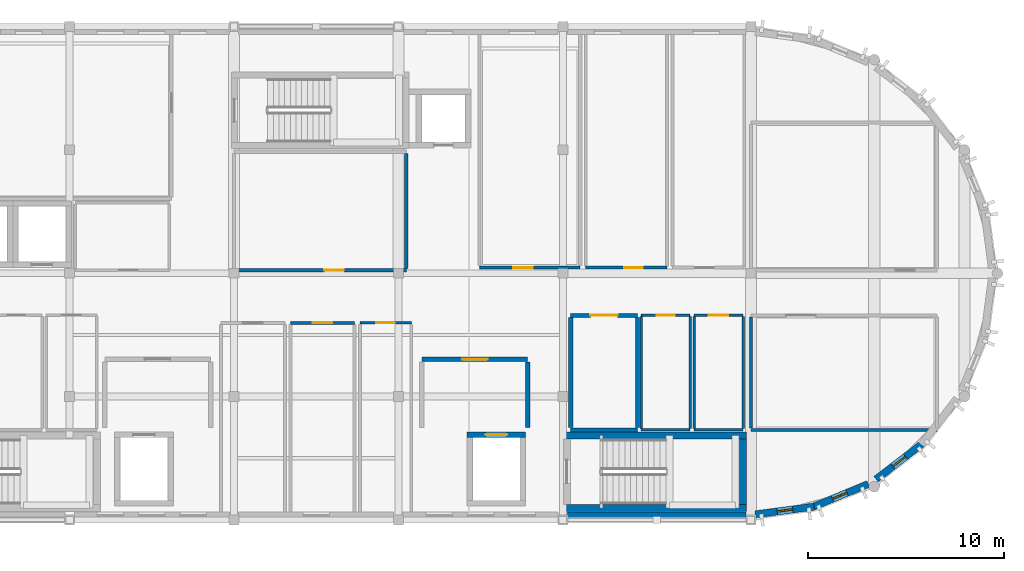
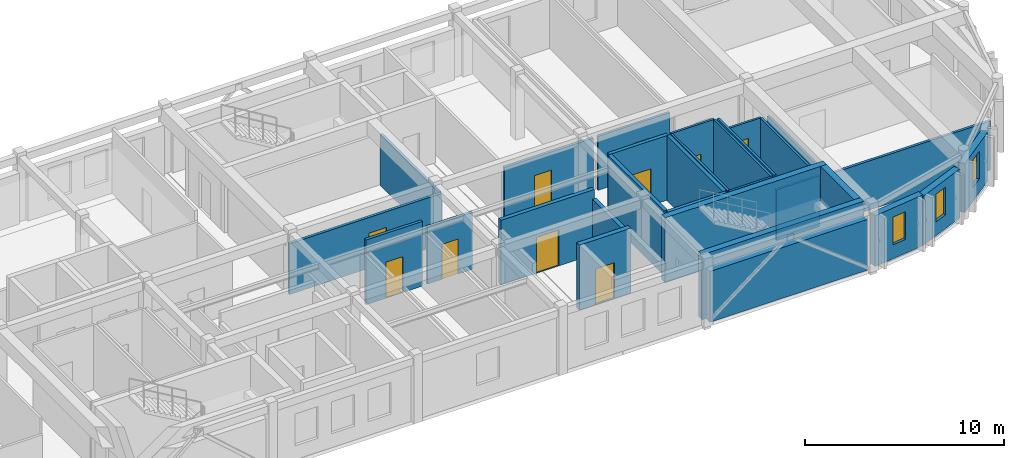
# One storey, part 5 of 11: 30 walls, 10 doors, 3 windows, 13 openings.
"""IFC4 building model written with IfcOpenShell, lengths in metres."""

from ifc_helpers import new_model, si_unit, direction, frame, frame_2d, origin, place, context, subcontext, project, spatial, rectangle, extrude, material, layer, layer_set, type_object, element, fill, save


model = new_model("IFC4")

# Units and contexts
model_context = context("Model", 3, precision=1e-05, world=origin(), true_north=direction((0.0, 1.0)))
body_context = subcontext(model_context, "Body", "Model", "MODEL_VIEW")
ifc_project = project(units=[si_unit("LENGTHUNIT", "METRE"), si_unit("AREAUNIT", "SQUARE_METRE"), si_unit("VOLUMEUNIT", "CUBIC_METRE"), si_unit("PLANEANGLEUNIT", "RADIAN"), si_unit("MASSUNIT", "GRAM", prefix="KILO")], contexts=[model_context])

# Site, building, storey
site_placement = place(None, origin())
site = spatial("IfcSite", under=ifc_project, at=site_placement, CompositionType="ELEMENT")
building_placement = place(site_placement, origin())
building = spatial("IfcBuilding", under=site, at=building_placement, Name="Tarnavel Promenade Courthouse", CompositionType="ELEMENT")
storey_placement = place(building_placement, frame((0.0, 0.0, 31.199951171875)))
storey = spatial("IfcBuildingStorey", under=building, at=storey_placement, Name="L08", CompositionType="ELEMENT", Elevation=31.199951171875)

# Wall, opening, door
ifc_material_1 = material(Name="Acoustic Insulated Gypsum Stud Partition", Category="gypsum")
ifc_layer_1 = layer(ifc_material_1, 0.1650390625)
ifc_layer_set_1 = layer_set([ifc_layer_1], Name="Acoustic Insulated Gypsum Stud Partition")
wall_type_1 = type_object("IfcWallType", Name="Acoustic Insulated Gypsum Stud Partition WL-CHM-165 (165 mm)", PredefinedType="PARTITIONING", material=ifc_layer_set_1)
wall_1_placement = place(storey_placement, frame((84.39990234375, 91.949951171875, 0.0), z_axis=(0.0, 0.0, 1.0), x_axis=(-1.0, 0.0, 0.0)))
wall_1 = element("IfcWall", 1, at=wall_1_placement, inside=storey, type_object=wall_type_1, Name="L08 L08 Judicial Panel Deliberation Salon Partition 0952", PredefinedType="PARTITIONING", context=body_context, shape_type="SweptSolid", body=[
    extrude(rectangle(XDim=8.7998046875, YDim=0.1650390625, at=frame_2d((4.39990234375, 0.0))), origin(), (0.0, 0.0, 1.0), 3.110107421875),
])
opening_1_placement = place(wall_1_placement, frame((3.18994140625, 0.0, 0.0)))
opening_1 = element("IfcOpeningElement", 2, at=opening_1_placement, cuts=wall_1, Name="Opening ID-03", PredefinedType="OPENING", context=body_context, shape_type="SweptSolid", body=[
    extrude(rectangle(XDim=1.0, YDim=2.14990234375, at=frame_2d((0.5, 1.074951171875))), frame((0.0, 0.092529296875, 0.0), z_axis=(0.0, -1.0, 0.0), x_axis=(1.0, 0.0, 0.0)), (0.0, 0.0, 1.0), 0.18505859375),
])
ifc_material_2 = material(Name="Acoustic Solid-Core Oak Jury Room Door")
door_type_1 = type_object("IfcDoorType", Name="Acoustic Solid-Core Oak Jury Room Door (DR-JRY-1000x2150)", OperationType="NOTDEFINED", PredefinedType="DOOR", material=ifc_material_2)
door_1_placement = place(opening_1_placement, origin())
door_1 = element("IfcDoor", 3, at=door_1_placement, inside=storey, type_object=door_type_1, Name="L08 L08 Judicial Panel Deliberation Salon Door 0271", OperationType="SINGLE_SWING_LEFT", OverallHeight=2.14990234375, OverallWidth=1.0, PredefinedType="DOOR", context=body_context, shape_type="SweptSolid", body=[
    extrude(rectangle(XDim=1.0, YDim=2.14990234375, at=frame_2d((0.5, 1.074951171875))), frame((0.0, 0.02490234375, 0.0), z_axis=(0.0, -1.0, 0.0), x_axis=(1.0, 0.0, 0.0)), (0.0, 0.0, 1.0), 0.050048828125),
])
fill(opening_1, door_1)

# Wall
wall_2_placement = place(storey_placement, frame((84.39990234375, 97.907470703125, 0.0), z_axis=(0.0, 0.0, 1.0), x_axis=(0.0, -1.0, 0.0)))
element("IfcWall", 4, at=wall_2_placement, inside=storey, type_object=wall_type_1, Name="L08 L08 Judicial Panel Deliberation Salon Partition 0954", PredefinedType="PARTITIONING", context=body_context, shape_type="SweptSolid", body=[
    extrude(rectangle(XDim=5.864990234375, YDim=0.1650390625, at=frame_2d((2.9326171875, 0.0))), origin(), (0.0, 0.0, 1.0), 3.110107421875),
])

# Wall, opening, door
wall_3_placement = place(storey_placement, frame((93.281005859375, 92.090087890625, 0.0), z_axis=(0.0, 0.0, 1.0), x_axis=(-1.0, 0.0, 0.0)))
wall_3 = element("IfcWall", 5, at=wall_3_placement, inside=storey, type_object=wall_type_1, Name="L08 Deputy Chief Justice's Chambers Partition 0955", PredefinedType="PARTITIONING", context=body_context, shape_type="SweptSolid", body=[
    extrude(rectangle(XDim=5.14111328125, YDim=0.1650390625, at=frame_2d((2.570556640625, 0.0))), origin(), (0.0, 0.0, 1.0), 3.31005859375),
])
opening_2_placement = place(wall_3_placement, frame((2.426513671875, 0.0, 0.0)))
opening_2 = element("IfcOpeningElement", 6, at=opening_2_placement, cuts=wall_3, Name="Opening ID-04", PredefinedType="OPENING", context=body_context, shape_type="SweptSolid", body=[
    extrude(rectangle(XDim=0.97998046875, YDim=2.199951171875, at=frame_2d((0.489990234375, 1.10009765625))), frame((0.0, 0.092529296875, 0.0), z_axis=(0.0, -1.0, 0.0), x_axis=(1.0, 0.0, 0.0)), (0.0, 0.0, 1.0), 0.18505859375),
])
ifc_material_3 = material(Name="Solid Oak Judges Chambers Door")
door_type_2 = type_object("IfcDoorType", Name="Solid Oak Judges Chambers Door (DR-CHM-0980x2200)", OperationType="NOTDEFINED", PredefinedType="DOOR", material=ifc_material_3)
door_2_placement = place(opening_2_placement, origin())
door_2 = element("IfcDoor", 7, at=door_2_placement, inside=storey, type_object=door_type_2, Name="L08 Deputy Chief Justice's Chambers Door 0272", OperationType="SINGLE_SWING_RIGHT", OverallHeight=2.199951171875, OverallWidth=0.97998046875, PredefinedType="DOOR", context=body_context, shape_type="SweptSolid", body=[
    extrude(rectangle(XDim=0.97998046875, YDim=2.199951171875, at=frame_2d((0.489990234375, 1.10009765625))), frame((0.0, 0.02490234375, 0.0), z_axis=(0.0, -1.0, 0.0), x_axis=(1.0, 0.0, 0.0)), (0.0, 0.0, 1.0), 0.050048828125),
])
fill(opening_2, door_2)

wall_4_placement = place(storey_placement, frame((78.488037109375, 89.260009765625, 0.0), z_axis=(0.0, 0.0, 1.0), x_axis=(1.0, 0.0, 0.0)))
wall_4 = element("IfcWall", 8, at=wall_4_placement, inside=storey, type_object=wall_type_1, Name="L08 Senior Magistracy Chambers East Partition 0967", PredefinedType="PARTITIONING", context=body_context, shape_type="SweptSolid", body=[
    extrude(rectangle(XDim=3.26806640625, YDim=0.1650390625, at=frame_2d((1.634033203125, 0.0))), origin(), (0.0, 0.0, 1.0), 3.965087890625),
])
opening_3_placement = place(wall_4_placement, frame((1.14404296875, 0.0, 0.0)))
opening_3 = element("IfcOpeningElement", 9, at=opening_3_placement, cuts=wall_4, Name="Opening ID-04", PredefinedType="OPENING", context=body_context, shape_type="SweptSolid", body=[
    extrude(rectangle(XDim=0.97998046875, YDim=2.199951171875, at=frame_2d((0.489990234375, 1.10009765625))), frame((0.0, 0.092529296875, 0.0), z_axis=(0.0, -1.0, 0.0), x_axis=(1.0, 0.0, 0.0)), (0.0, 0.0, 1.0), 0.18505859375),
])
door_3_placement = place(opening_3_placement, origin())
door_3 = element("IfcDoor", 10, at=door_3_placement, inside=storey, type_object=door_type_2, Name="L08 Senior Magistracy Chambers East Door 0276", OperationType="SINGLE_SWING_RIGHT", OverallHeight=2.199951171875, OverallWidth=0.97998046875, PredefinedType="DOOR", context=body_context, shape_type="SweptSolid", body=[
    extrude(rectangle(XDim=0.97998046875, YDim=2.199951171875, at=frame_2d((0.489990234375, 1.10009765625))), frame((0.0, 0.02490234375, 0.0), z_axis=(0.0, -1.0, 0.0), x_axis=(1.0, 0.0, 0.0)), (0.0, 0.0, 1.0), 0.050048828125),
])
fill(opening_3, door_3)

# Walls
ifc_layer_2 = layer(ifc_material_1, 0.14990234375)
ifc_layer_set_2 = layer_set([ifc_layer_2], Name="Acoustic Insulated Gypsum Stud Partition")
wall_type_2 = type_object("IfcWallType", Name="Acoustic Insulated Gypsum Stud Partition WL-LIB-150 (150 mm)", PredefinedType="PARTITIONING", material=ifc_layer_set_2)
wall_5_placement = place(storey_placement, frame((111.5, 83.800048828125, 0.0), z_axis=(0.0, 0.0, 1.0), x_axis=(-1.0, 0.0, 0.0)))
element("IfcWall", 11, at=wall_5_placement, inside=storey, type_object=wall_type_2, Name="L08 L08 East Drum Collegium Reference Room Partition 0986", PredefinedType="PARTITIONING", context=body_context, shape_type="SweptSolid", body=[
    extrude(rectangle(XDim=9.5, YDim=0.14990234375, at=frame_2d((4.75, 0.0))), origin(), (0.0, 0.0, 1.0), 3.010009765625),
])
wall_6_placement = place(storey_placement, frame((102.0, 83.885009765625, 0.0), z_axis=(0.0, 0.0, 1.0), x_axis=(0.0, 1.0, 0.0)))
element("IfcWall", 12, at=wall_6_placement, inside=storey, type_object=wall_type_2, Name="L08 L08 East Drum Collegium Reference Room Partition 0987", PredefinedType="PARTITIONING", context=body_context, shape_type="SweptSolid", body=[
    extrude(rectangle(XDim=5.679931640625, YDim=0.14990234375, at=frame_2d((2.83984375, 0.0))), origin(), (0.0, 0.0, 1.0), 3.110107421875),
])

# Wall, opening, door
ifc_material_4 = material(Name="Concrete C40/50", Category="concrete")
ifc_layer_3 = layer(ifc_material_4, 0.280029296875)
ifc_layer_set_3 = layer_set([ifc_layer_3], Name="Concrete C40/50")
wall_type_3 = type_object("IfcWallType", Name="Concrete C40/50 WL-SHR-280 (280 mm)", PredefinedType="SHEAR", material=ifc_layer_set_3)
wall_7_placement = place(storey_placement, frame((87.5, 83.56005859375, 0.0), z_axis=(0.0, 0.0, 1.0), x_axis=(1.0, 0.0, 0.0)))
wall_7 = element("IfcWall", 13, at=wall_7_placement, inside=storey, type_object=wall_type_3, Name="L08 L-FF2 Lift Shaft North Wall", PredefinedType="SHEAR", context=body_context, shape_type="SweptSolid", body=[
    extrude(rectangle(XDim=3.0, YDim=0.280029296875, at=frame_2d((1.5, 0.0))), origin(), (0.0, 0.0, 1.0), 3.97998046875),
])
opening_4_placement = place(wall_7_placement, frame((0.949951171875, 0.0, 0.0)))
opening_4 = element("IfcOpeningElement", 14, at=opening_4_placement, cuts=wall_7, Name="Opening LD-01", PredefinedType="OPENING", context=body_context, shape_type="SweptSolid", body=[
    extrude(rectangle(XDim=1.10009765625, YDim=2.199951171875, at=frame_2d((0.550048828125, 1.10009765625))), frame((0.0, 0.14990234375, 0.0), z_axis=(0.0, -1.0, 0.0), x_axis=(1.0, 0.0, 0.0)), (0.0, 0.0, 1.0), 0.300048828125),
])
ifc_material_5 = material(Name="Stainless Steel Firefighting Lift Landing Sliding Door", Category="steel")
door_type_3 = type_object("IfcDoorType", Name="Stainless Steel Firefighting Lift Landing Sliding Door (LD-FF-1100x2200)", OperationType="NOTDEFINED", PredefinedType="DOOR", material=ifc_material_5)
door_4_placement = place(opening_4_placement, origin())
door_4 = element("IfcDoor", 15, at=door_4_placement, inside=storey, type_object=door_type_3, Name="L08 L-FF2 Lift Sliding Landing Door", OperationType="DOUBLE_DOOR_SLIDING", OverallHeight=2.199951171875, OverallWidth=1.10009765625, PredefinedType="DOOR", context=body_context, shape_type="SweptSolid", body=[
    extrude(rectangle(XDim=1.10009765625, YDim=2.199951171875, at=frame_2d((0.550048828125, 1.10009765625))), frame((0.0, 0.02490234375, 0.0), z_axis=(0.0, -1.0, 0.0), x_axis=(1.0, 0.0, 0.0)), (0.0, 0.0, 1.0), 0.050048828125),
])
fill(opening_4, door_4)

# Walls
ifc_layer_4 = layer(ifc_material_4, 0.360107421875)
ifc_layer_set_4 = layer_set([ifc_layer_4], Name="Concrete C40/50")
wall_type_4 = type_object("IfcWallType", Name="Concrete C40/50 WL-SHR-360 (360 mm)", PredefinedType="SHEAR", material=ifc_layer_set_4)
for number, where, z_axis, x_axis, name in (
    (16, (92.419921875, 83.52001953125, 0.0), (0.0, 0.0, 1.0), (1.0, 0.0, 0.0), "L08 ST-02 Shear Core North Wall"),
    (17, (101.780029296875, 79.800048828125, 0.0), (0.0, 0.0, 1.0), (-1.0, 0.0, 0.0), "L08 ST-02 Shear Core South Wall"),
):
    element("IfcWall", number, at=place(storey_placement, frame(where, z_axis=z_axis, x_axis=x_axis)), inside=storey, type_object=wall_type_4, Name=name, PredefinedType="SHEAR", context=body_context, shape_type="SweptSolid", body=[
        extrude(rectangle(XDim=9.360107421875, YDim=0.360107421875, at=frame_2d((4.68017578125, 0.0))), origin(), (0.0, 0.0, 1.0), 3.97998046875),
    ])
wall_8_placement = place(storey_placement, frame((101.60009765625, 83.340087890625, 0.0), z_axis=(0.0, 0.0, 1.0), x_axis=(0.0, -1.0, 0.0)))
element("IfcWall", 18, at=wall_8_placement, inside=storey, type_object=wall_type_4, Name="L08 ST-02 Shear Core East Wall", PredefinedType="SHEAR", context=body_context, shape_type="SweptSolid", body=[
    extrude(rectangle(XDim=3.360107421875, YDim=0.360107421875, at=frame_2d((1.68017578125, 0.0))), origin(), (0.0, 0.0, 1.0), 3.97998046875),
])

# Wall, opening, door
ifc_material_6 = material(Name="Concrete Masonry Fire Compartment Wall", Category="masonry")
ifc_layer_5 = layer(ifc_material_6, 0.205078125)
ifc_layer_set_5 = layer_set([ifc_layer_5], Name="Concrete Masonry Fire Compartment Wall")
wall_type_5 = type_object("IfcWallType", Name="Concrete Masonry Fire Compartment Wall WL-CMP-205 (205 mm)", PredefinedType="STANDARD", material=ifc_layer_set_5)
wall_9_placement = place(storey_placement, frame((92.800048828125, 89.64990234375, 0.0), z_axis=(0.0, 0.0, 1.0), x_axis=(1.0, 0.0, 0.0)))
wall_9 = element("IfcWall", 19, at=wall_9_placement, inside=storey, type_object=wall_type_5, Name="L08 L08 Court Transcript Records Room Partition 0940", PredefinedType="STANDARD", context=body_context, shape_type="SweptSolid", body=[
    extrude(rectangle(XDim=3.39990234375, YDim=0.205078125, at=frame_2d((1.699951171875, 0.0))), origin(), (0.0, 0.0, 1.0), 3.965087890625),
])
opening_5_placement = place(wall_9_placement, frame((1.0, 0.0, 0.0)))
opening_5 = element("IfcOpeningElement", 20, at=opening_5_placement, cuts=wall_9, Name="Opening FD-04", PredefinedType="OPENING", context=body_context, shape_type="SweptSolid", body=[
    extrude(rectangle(XDim=1.39990234375, YDim=2.25, at=frame_2d((0.699951171875, 1.125))), frame((0.0, 0.112548828125, 0.0), z_axis=(0.0, -1.0, 0.0), x_axis=(1.0, 0.0, 0.0)), (0.0, 0.0, 1.0), 0.22509765625),
])
ifc_material_7 = material(Name="Heavy Steel Plant Room Fire Door", Category="steel")
door_type_4 = type_object("IfcDoorType", Name="Heavy Steel Plant Room Fire Door (DR-PLT-1400x2250)", OperationType="NOTDEFINED", PredefinedType="DOOR", material=ifc_material_7)
door_5_placement = place(opening_5_placement, origin())
door_5 = element("IfcDoor", 21, at=door_5_placement, inside=storey, type_object=door_type_4, Name="L08 L08 Court Transcript Records Room Door 0268", OperationType="SINGLE_SWING_RIGHT", OverallHeight=2.25, OverallWidth=1.39990234375, PredefinedType="DOOR", context=body_context, shape_type="SweptSolid", body=[
    extrude(rectangle(XDim=1.39990234375, YDim=2.25, at=frame_2d((0.699951171875, 1.125))), frame((0.0, 0.02490234375, 0.0), z_axis=(0.0, -1.0, 0.0), x_axis=(1.0, 0.0, 0.0)), (0.0, 0.0, 1.0), 0.050048828125),
])
fill(opening_5, door_5)

# Walls
wall_10_placement = place(storey_placement, frame((96.199951171875, 83.800048828125, 0.0), z_axis=(0.0, 0.0, 1.0), x_axis=(-1.0, 0.0, 0.0)))
element("IfcWall", 22, at=wall_10_placement, inside=storey, type_object=wall_type_5, Name="L08 L08 Court Transcript Records Room Partition 0941", PredefinedType="STANDARD", context=body_context, shape_type="SweptSolid", body=[
    extrude(rectangle(XDim=3.39990234375, YDim=0.205078125, at=frame_2d((1.699951171875, 0.0))), origin(), (0.0, 0.0, 1.0), 3.965087890625),
])
for number, where, z_axis, x_axis, name in (
    (23, (92.800048828125, 83.91259765625, 0.0), (0.0, 0.0, 1.0), (0.0, 1.0, 0.0), "L08 L08 Court Transcript Records Room Partition 0942"),
    (24, (96.199951171875, 89.53759765625, 0.0), (0.0, 0.0, 1.0), (0.0, -1.0, 0.0), "L08 L08 Court Transcript Records Room Partition 0943"),
):
    element("IfcWall", number, at=place(storey_placement, frame(where, z_axis=z_axis, x_axis=x_axis)), inside=storey, type_object=wall_type_5, Name=name, PredefinedType="STANDARD", context=body_context, shape_type="SweptSolid", body=[
        extrude(rectangle(XDim=5.625, YDim=0.205078125, at=frame_2d((2.8125, 0.0))), origin(), (0.0, 0.0, 1.0), 3.965087890625),
    ])

# Wall, opening, door
ifc_layer_6 = layer(ifc_material_6, 0.22998046875)
ifc_layer_set_6 = layer_set([ifc_layer_6], Name="Concrete Masonry Fire Compartment Wall")
wall_type_6 = type_object("IfcWallType", Name="Concrete Masonry Fire Compartment Wall WL-CMP-230 (230 mm)", PredefinedType="STANDARD", material=ifc_layer_set_6)
wall_11_placement = place(storey_placement, frame((85.199951171875, 87.39990234375, 0.0), z_axis=(0.0, 0.0, 1.0), x_axis=(1.0, 0.0, 0.0)))
wall_11 = element("IfcWall", 25, at=wall_11_placement, inside=storey, type_object=wall_type_6, Name="L08 Firefighting Lobby L-FF2 Partition 0917", PredefinedType="STANDARD", context=body_context, shape_type="SweptSolid", body=[
    extrude(rectangle(XDim=5.400146484375, YDim=0.22998046875, at=frame_2d((2.7001953125, 0.0))), origin(), (0.0, 0.0, 1.0), 3.965087890625),
])
opening_6_placement = place(wall_11_placement, frame((2.050048828125, 0.0, 0.0)))
opening_6 = element("IfcOpeningElement", 26, at=opening_6_placement, cuts=wall_11, Name="Opening FD-03", PredefinedType="OPENING", context=body_context, shape_type="SweptSolid", body=[
    extrude(rectangle(XDim=1.300048828125, YDim=2.199951171875, at=frame_2d((0.64990234375, 1.10009765625))), frame((0.0, 0.125, 0.0), z_axis=(0.0, -1.0, 0.0), x_axis=(1.0, 0.0, 0.0)), (0.0, 0.0, 1.0), 0.25),
])
ifc_material_8 = material(Name="Smoke-Sealed Firefighting Lobby Fire Door")
door_type_5 = type_object("IfcDoorType", Name="Smoke-Sealed Firefighting Lobby Fire Door (DR-FFL-1300x2200)", OperationType="NOTDEFINED", PredefinedType="DOOR", material=ifc_material_8)
door_6_placement = place(opening_6_placement, origin())
door_6 = element("IfcDoor", 27, at=door_6_placement, inside=storey, type_object=door_type_5, Name="L08 Firefighting Lobby L-FF2 Door 0262", OperationType="SINGLE_SWING_RIGHT", OverallHeight=2.199951171875, OverallWidth=1.300048828125, PredefinedType="DOOR", context=body_context, shape_type="SweptSolid", body=[
    extrude(rectangle(XDim=1.300048828125, YDim=2.199951171875, at=frame_2d((0.64990234375, 1.10009765625))), frame((0.0, 0.02490234375, 0.0), z_axis=(0.0, -1.0, 0.0), x_axis=(1.0, 0.0, 0.0)), (0.0, 0.0, 1.0), 0.050048828125),
])
fill(opening_6, door_6)

# Walls
wall_12_placement = place(storey_placement, frame((90.60009765625, 87.27490234375, 0.0), z_axis=(0.0, 0.0, 1.0), x_axis=(0.0, -1.0, 0.0)))
element("IfcWall", 28, at=wall_12_placement, inside=storey, type_object=wall_type_6, Name="L08 Firefighting Lobby L-FF2 Partition 0919", PredefinedType="STANDARD", context=body_context, shape_type="SweptSolid", body=[
    extrude(rectangle(XDim=3.349853515625, YDim=0.22998046875, at=frame_2d((1.6748046875, 0.0))), origin(), (0.0, 0.0, 1.0), 3.41015625),
])
ifc_material_9 = material(Name="Cream Brick Insulated Cavity Facade Assembly", Category="masonry")
ifc_layer_7 = layer(ifc_material_9, 0.3798828125)
ifc_layer_set_7 = layer_set([ifc_layer_7], Name="Cream Brick Insulated Cavity Facade Assembly")
wall_type_7 = type_object("IfcWallType", Name="Cream Brick Insulated Cavity Facade Assembly WL-EXT-380 (380 mm)", PredefinedType="STANDARD", material=ifc_layer_set_7)
wall_13_placement = place(storey_placement, frame((101.758056640625, 79.419921875, 0.0), z_axis=(0.0, 0.0, 1.0), x_axis=(-1.0, 0.0, 0.0)))
element("IfcWall", 29, at=wall_13_placement, inside=storey, type_object=wall_type_7, Name="L08 Bar South Limestone Facade 0213", PredefinedType="STANDARD", context=body_context, shape_type="SweptSolid", body=[
    extrude(rectangle(XDim=9.115966796875, YDim=0.3798828125, at=frame_2d((4.55810546875, 0.0))), origin(), (0.0, 0.0, 1.0), 3.110107421875),
])

# Wall, opening, door
ifc_material_10 = material(Name="Metal-Stud Acoustic Gypsum Partition", Category="gypsum")
ifc_layer_8 = layer(ifc_material_10, 0.135009765625)
ifc_layer_set_8 = layer_set([ifc_layer_8], Name="Metal-Stud Acoustic Gypsum Partition")
wall_type_8 = type_object("IfcWallType", Name="Metal-Stud Acoustic Gypsum Partition WL-OFF-135 (135 mm)", PredefinedType="PARTITIONING", material=ifc_layer_set_8)
wall_14_placement = place(storey_placement, frame((97.717041015625, 92.090087890625, 0.0), z_axis=(0.0, 0.0, 1.0), x_axis=(-1.0, 0.0, 0.0)))
wall_14 = element("IfcWall", 30, at=wall_14_placement, inside=storey, type_object=wall_type_8, Name="L08 Executive Judicial Secretariat Partition 0958", PredefinedType="PARTITIONING", context=body_context, shape_type="SweptSolid", body=[
    extrude(rectangle(XDim=4.156005859375, YDim=0.135009765625, at=frame_2d((2.078125, 0.0))), origin(), (0.0, 0.0, 1.0), 3.31005859375),
])
opening_7_placement = place(wall_14_placement, frame((1.22705078125, 0.0, 0.0)))
opening_7 = element("IfcOpeningElement", 31, at=opening_7_placement, cuts=wall_14, Name="Opening ID-06", PredefinedType="OPENING", context=body_context, shape_type="SweptSolid", body=[
    extrude(rectangle(XDim=0.949951171875, YDim=2.14990234375, at=frame_2d((0.47509765625, 1.074951171875))), frame((0.0, 0.077392578125, 0.0), z_axis=(0.0, -1.0, 0.0), x_axis=(1.0, 0.0, 0.0)), (0.0, 0.0, 1.0), 0.155029296875),
])
ifc_material_11 = material(Name="Acoustic Timber Veneer Office Door", Category="wood")
door_type_6 = type_object("IfcDoorType", Name="Acoustic Timber Veneer Office Door (DR-OFF-0950x2150)", OperationType="NOTDEFINED", PredefinedType="DOOR", material=ifc_material_11)
door_7_placement = place(opening_7_placement, origin())
door_7 = element("IfcDoor", 32, at=door_7_placement, inside=storey, type_object=door_type_6, Name="L08 Executive Judicial Secretariat Door 0273", OperationType="SINGLE_SWING_LEFT", OverallHeight=2.14990234375, OverallWidth=0.949951171875, PredefinedType="DOOR", context=body_context, shape_type="SweptSolid", body=[
    extrude(rectangle(XDim=0.949951171875, YDim=2.14990234375, at=frame_2d((0.47509765625, 1.074951171875))), frame((0.0, 0.02490234375, 0.0), z_axis=(0.0, -1.0, 0.0), x_axis=(1.0, 0.0, 0.0)), (0.0, 0.0, 1.0), 0.050048828125),
])
fill(opening_7, door_7)

wall_15_placement = place(storey_placement, frame((82.035888671875, 89.260009765625, 0.0), z_axis=(0.0, 0.0, 1.0), x_axis=(1.0, 0.0, 0.0)))
wall_15 = element("IfcWall", 33, at=wall_15_placement, inside=storey, type_object=wall_type_8, Name="L08 Mongolian Legal Translation Bureau Partition 0970", PredefinedType="PARTITIONING", context=body_context, shape_type="SweptSolid", body=[
    extrude(rectangle(XDim=2.6240234375, YDim=0.135009765625, at=frame_2d((1.31201171875, 0.0))), origin(), (0.0, 0.0, 1.0), 3.510009765625),
])
opening_8_placement = place(wall_15_placement, frame((0.8369140625, 0.0, 0.0)))
opening_8 = element("IfcOpeningElement", 34, at=opening_8_placement, cuts=wall_15, Name="Opening ID-06", PredefinedType="OPENING", context=body_context, shape_type="SweptSolid", body=[
    extrude(rectangle(XDim=0.949951171875, YDim=2.14990234375, at=frame_2d((0.47509765625, 1.074951171875))), frame((0.0, 0.077392578125, 0.0), z_axis=(0.0, -1.0, 0.0), x_axis=(1.0, 0.0, 0.0)), (0.0, 0.0, 1.0), 0.155029296875),
])
door_8_placement = place(opening_8_placement, origin())
door_8 = element("IfcDoor", 35, at=door_8_placement, inside=storey, type_object=door_type_6, Name="L08 Mongolian Legal Translation Bureau Door 0277", OperationType="SINGLE_SWING_LEFT", OverallHeight=2.14990234375, OverallWidth=0.949951171875, PredefinedType="DOOR", context=body_context, shape_type="SweptSolid", body=[
    extrude(rectangle(XDim=0.949951171875, YDim=2.14990234375, at=frame_2d((0.47509765625, 1.074951171875))), frame((0.0, 0.02490234375, 0.0), z_axis=(0.0, -1.0, 0.0), x_axis=(1.0, 0.0, 0.0)), (0.0, 0.0, 1.0), 0.050048828125),
])
fill(opening_8, door_8)

ifc_material_12 = material(Name="Moisture-Resistant Tile-Backed Stud Partition", Category="gypsum")
ifc_layer_9 = layer(ifc_material_12, 0.125)
ifc_layer_set_9 = layer_set([ifc_layer_9], Name="Moisture-Resistant Tile-Backed Stud Partition")
wall_type_9 = type_object("IfcWallType", Name="Moisture-Resistant Tile-Backed Stud Partition WL-WET-125 (125 mm)", PredefinedType="PARTITIONING", material=ifc_layer_set_9)
wall_16_placement = place(storey_placement, frame((96.39990234375, 89.64990234375, 0.0), z_axis=(0.0, 0.0, 1.0), x_axis=(1.0, 0.0, 0.0)))
wall_16 = element("IfcWall", 36, at=wall_16_placement, inside=storey, type_object=wall_type_9, Name="L08 Staff WC Partition 0928", PredefinedType="PARTITIONING", context=body_context, shape_type="SweptSolid", body=[
    extrude(rectangle(XDim=2.5, YDim=0.125, at=frame_2d((1.25, 0.0))), origin(), (0.0, 0.0, 1.0), 3.965087890625),
])
opening_9_placement = place(wall_16_placement, frame((0.800048828125, 0.0, 0.0)))
opening_9 = element("IfcOpeningElement", 37, at=opening_9_placement, cuts=wall_16, Name="Opening ID-08", PredefinedType="OPENING", context=body_context, shape_type="SweptSolid", body=[
    extrude(rectangle(XDim=0.89990234375, YDim=2.10009765625, at=frame_2d((0.449951171875, 1.050048828125))), frame((0.0, 0.072509765625, 0.0), z_axis=(0.0, -1.0, 0.0), x_axis=(1.0, 0.0, 0.0)), (0.0, 0.0, 1.0), 0.14501953125),
])
ifc_material_13 = material(Name="Moisture-Resistant Laminate Restroom Door")
door_type_7 = type_object("IfcDoorType", Name="Moisture-Resistant Laminate Restroom Door (DR-WC-0900x2100)", OperationType="NOTDEFINED", PredefinedType="DOOR", material=ifc_material_13)
door_9_placement = place(opening_9_placement, origin())
door_9 = element("IfcDoor", 38, at=door_9_placement, inside=storey, type_object=door_type_7, Name="L08 Staff WC Door 0265", OperationType="SINGLE_SWING_LEFT", OverallHeight=2.10009765625, OverallWidth=0.89990234375, PredefinedType="DOOR", context=body_context, shape_type="SweptSolid", body=[
    extrude(rectangle(XDim=0.89990234375, YDim=2.10009765625, at=frame_2d((0.449951171875, 1.050048828125))), frame((0.0, 0.02490234375, 0.0), z_axis=(0.0, -1.0, 0.0), x_axis=(1.0, 0.0, 0.0)), (0.0, 0.0, 1.0), 0.050048828125),
])
fill(opening_9, door_9)

# Walls
wall_17_placement = place(storey_placement, frame((98.89990234375, 83.800048828125, 0.0), z_axis=(0.0, 0.0, 1.0), x_axis=(-1.0, 0.0, 0.0)))
element("IfcWall", 39, at=wall_17_placement, inside=storey, type_object=wall_type_9, Name="L08 Staff WC Partition 0929", PredefinedType="PARTITIONING", context=body_context, shape_type="SweptSolid", body=[
    extrude(rectangle(XDim=2.5, YDim=0.125, at=frame_2d((1.25, 0.0))), origin(), (0.0, 0.0, 1.0), 3.965087890625),
])
for number, where, z_axis, x_axis, name in (
    (40, (96.39990234375, 83.87255859375, 0.0), (0.0, 0.0, 1.0), (0.0, 1.0, 0.0), "L08 Staff WC Partition 0930"),
    (41, (98.89990234375, 89.577392578125, 0.0), (0.0, 0.0, 1.0), (0.0, -1.0, 0.0), "L08 Staff WC Partition 0931"),
):
    element("IfcWall", number, at=place(storey_placement, frame(where, z_axis=z_axis, x_axis=x_axis)), inside=storey, type_object=wall_type_9, Name=name, PredefinedType="PARTITIONING", context=body_context, shape_type="SweptSolid", body=[
        extrude(rectangle(XDim=5.704833984375, YDim=0.125, at=frame_2d((2.8525390625, 0.0))), origin(), (0.0, 0.0, 1.0), 3.965087890625),
    ])

# Wall, opening, door
wall_18_placement = place(storey_placement, frame((99.10009765625, 89.64990234375, 0.0), z_axis=(0.0, 0.0, 1.0), x_axis=(1.0, 0.0, 0.0)))
wall_18 = element("IfcWall", 42, at=wall_18_placement, inside=storey, type_object=wall_type_9, Name="L08 Accessible Staff WC Partition 0932", PredefinedType="PARTITIONING", context=body_context, shape_type="SweptSolid", body=[
    extrude(rectangle(XDim=2.5, YDim=0.125, at=frame_2d((1.25, 0.0))), origin(), (0.0, 0.0, 1.0), 3.110107421875),
])
opening_10_placement = place(wall_18_placement, frame((0.75, 0.0, 0.0)))
opening_10 = element("IfcOpeningElement", 43, at=opening_10_placement, cuts=wall_18, Name="Opening ID-09", PredefinedType="OPENING", context=body_context, shape_type="SweptSolid", body=[
    extrude(rectangle(XDim=1.0, YDim=2.10009765625, at=frame_2d((0.5, 1.050048828125))), frame((0.0, 0.072509765625, 0.0), z_axis=(0.0, -1.0, 0.0), x_axis=(1.0, 0.0, 0.0)), (0.0, 0.0, 1.0), 0.14501953125),
])
ifc_material_14 = material(Name="Wide Accessible Restroom Outward Door")
door_type_8 = type_object("IfcDoorType", Name="Wide Accessible Restroom Outward Door (DR-AWC-1000x2100)", OperationType="NOTDEFINED", PredefinedType="DOOR", material=ifc_material_14)
door_10_placement = place(opening_10_placement, origin())
door_10 = element("IfcDoor", 44, at=door_10_placement, inside=storey, type_object=door_type_8, Name="L08 Accessible Staff WC Door 0266", OperationType="SINGLE_SWING_RIGHT", OverallHeight=2.10009765625, OverallWidth=1.0, PredefinedType="DOOR", context=body_context, shape_type="SweptSolid", body=[
    extrude(rectangle(XDim=1.0, YDim=2.10009765625, at=frame_2d((0.5, 1.050048828125))), frame((0.0, 0.02490234375, 0.0), z_axis=(0.0, -1.0, 0.0), x_axis=(1.0, 0.0, 0.0)), (0.0, 0.0, 1.0), 0.050048828125),
])
fill(opening_10, door_10)

# Walls
wall_19_placement = place(storey_placement, frame((101.60009765625, 83.800048828125, 0.0), z_axis=(0.0, 0.0, 1.0), x_axis=(-1.0, 0.0, 0.0)))
element("IfcWall", 45, at=wall_19_placement, inside=storey, type_object=wall_type_9, Name="L08 Accessible Staff WC Partition 0933", PredefinedType="PARTITIONING", context=body_context, shape_type="SweptSolid", body=[
    extrude(rectangle(XDim=2.5, YDim=0.125, at=frame_2d((1.25, 0.0))), origin(), (0.0, 0.0, 1.0), 3.110107421875),
])
wall_20_placement = place(storey_placement, frame((99.10009765625, 83.87255859375, 0.0), z_axis=(0.0, 0.0, 1.0), x_axis=(0.0, 1.0, 0.0)))
element("IfcWall", 46, at=wall_20_placement, inside=storey, type_object=wall_type_9, Name="L08 Accessible Staff WC Partition 0934", PredefinedType="PARTITIONING", context=body_context, shape_type="SweptSolid", body=[
    extrude(rectangle(XDim=5.704833984375, YDim=0.125, at=frame_2d((2.8525390625, 0.0))), origin(), (0.0, 0.0, 1.0), 3.965087890625),
])
wall_21_placement = place(storey_placement, frame((101.60009765625, 89.577392578125, 0.0), z_axis=(0.0, 0.0, 1.0), x_axis=(0.0, -1.0, 0.0)))
element("IfcWall", 47, at=wall_21_placement, inside=storey, type_object=wall_type_9, Name="L08 Accessible Staff WC Partition 0935", PredefinedType="PARTITIONING", context=body_context, shape_type="SweptSolid", body=[
    extrude(rectangle(XDim=5.704833984375, YDim=0.125, at=frame_2d((2.8525390625, 0.0))), origin(), (0.0, 0.0, 1.0), 3.110107421875),
])

# Wall, opening, window
ifc_material_15 = material(Name="Patinated Copper-Bronze Insulated Drum Wall Assembly", Category="masonry")
ifc_layer_10 = layer(ifc_material_15, 0.364990234375)
ifc_layer_set_10 = layer_set([ifc_layer_10], Name="Patinated Copper-Bronze Insulated Drum Wall Assembly")
wall_type_10 = type_object("IfcWallType", Name="Patinated Copper-Bronze Insulated Drum Wall Assembly WL-DRUM-365 (365 mm)", PredefinedType="ELEMENTEDWALL", material=ifc_layer_set_10)
wall_22_placement = place(storey_placement, frame((102.22705078125, 79.48193359375, 0.0), z_axis=(0.0, 0.0, 1.0), x_axis=(0.991440016295, 0.130562988969, 0.0)))
wall_22 = element("IfcWall", 48, at=wall_22_placement, inside=storey, type_object=wall_type_10, Name="L08 E Copper Drum Chord Wall 01 0226", PredefinedType="ELEMENTEDWALL", context=body_context, shape_type="SweptSolid", body=[
    extrude(rectangle(XDim=3.02734375, YDim=0.364990234375, at=frame_2d((1.513671875, 0.0))), origin(), (0.0, 0.0, 1.0), 3.110107421875),
])
opening_11_placement = place(wall_22_placement, frame((1.127685546875, 0.0, 0.85009765625)))
opening_11 = element("IfcOpeningElement", 49, at=opening_11_placement, cuts=wall_22, Name="Opening W-09", PredefinedType="OPENING", context=body_context, shape_type="SweptSolid", body=[
    extrude(rectangle(XDim=0.800048828125, YDim=1.699951171875, at=frame_2d((0.39990234375, 0.85009765625))), frame((0.0, 0.1923828125, 0.0), z_axis=(0.0, -1.0, 0.0), x_axis=(1.0, 0.0, 0.0)), (0.0, 0.0, 1.0), 0.385009765625),
])
ifc_material_16 = material(Name="Triple Low-E Glazed Bronze-Clad Window Assembly")
window_type = type_object("IfcWindowType", Name="Triple-Glazed Bronze-Clad Timber-Aluminium WIN-DRM-0800x1700", PartitioningType="SINGLE_PANEL", PredefinedType="WINDOW", material=ifc_material_16)
window_1_placement = place(opening_11_placement, origin())
window_1 = element("IfcWindow", 50, at=window_1_placement, inside=storey, type_object=window_type, Name="L08 Exterior Window 0191", OverallHeight=1.699951171875, OverallWidth=0.800048828125, PartitioningType="SINGLE_PANEL", PredefinedType="WINDOW", context=body_context, shape_type="SweptSolid", body=[
    extrude(rectangle(XDim=0.800048828125, YDim=1.699951171875, at=frame_2d((0.39990234375, 0.85009765625))), frame((0.0, 0.030029296875, 0.0), z_axis=(0.0, -1.0, 0.0), x_axis=(1.0, 0.0, 0.0)), (0.0, 0.0, 1.0), 0.06005859375),
])
fill(opening_11, window_1)

wall_23_placement = place(storey_placement, frame((105.16552734375, 79.8603515625, 0.0), z_axis=(0.0, 0.0, 1.0), x_axis=(0.923876904284, 0.382689777405, 0.0)))
wall_23 = element("IfcWall", 51, at=wall_23_placement, inside=storey, type_object=wall_type_10, Name="L08 E Copper Drum Chord Wall 02 0227", PredefinedType="ELEMENTEDWALL", context=body_context, shape_type="SweptSolid", body=[
    extrude(rectangle(XDim=3.062255859375, YDim=0.364990234375, at=frame_2d((1.53125, 0.0))), origin(), (0.0, 0.0, 1.0), 3.010009765625),
])
opening_12_placement = place(wall_23_placement, frame((1.087158203125, 0.0, 0.85009765625)))
opening_12 = element("IfcOpeningElement", 52, at=opening_12_placement, cuts=wall_23, Name="Opening W-09", PredefinedType="OPENING", context=body_context, shape_type="SweptSolid", body=[
    extrude(rectangle(XDim=0.800048828125, YDim=1.699951171875, at=frame_2d((0.39990234375, 0.85009765625))), frame((0.0, 0.1923828125, 0.0), z_axis=(0.0, -1.0, 0.0), x_axis=(1.0, 0.0, 0.0)), (0.0, 0.0, 1.0), 0.385009765625),
])
window_2_placement = place(opening_12_placement, origin())
window_2 = element("IfcWindow", 53, at=window_2_placement, inside=storey, type_object=window_type, Name="L08 Exterior Window 0192", OverallHeight=1.699951171875, OverallWidth=0.800048828125, PartitioningType="SINGLE_PANEL", PredefinedType="WINDOW", context=body_context, shape_type="SweptSolid", body=[
    extrude(rectangle(XDim=0.800048828125, YDim=1.699951171875, at=frame_2d((0.39990234375, 0.85009765625))), frame((0.0, 0.030029296875, 0.0), z_axis=(0.0, -1.0, 0.0), x_axis=(1.0, 0.0, 0.0)), (0.0, 0.0, 1.0), 0.06005859375),
])
fill(opening_12, window_2)

wall_24_placement = place(storey_placement, frame((108.397705078125, 81.2783203125, 0.0), z_axis=(0.0, 0.0, 1.0), x_axis=(0.793361877219, 0.608750303306, 0.0)))
wall_24 = element("IfcWall", 54, at=wall_24_placement, inside=storey, type_object=wall_type_10, Name="L08 E Copper Drum Chord Wall 03 0228", PredefinedType="ELEMENTEDWALL", context=body_context, shape_type="SweptSolid", body=[
    extrude(rectangle(XDim=2.97412109375, YDim=0.364990234375, at=frame_2d((1.487060546875, 0.0))), origin(), (0.0, 0.0, 1.0), 3.010009765625),
])
opening_13_placement = place(wall_24_placement, frame((1.087158203125, 0.0, 0.85009765625)))
opening_13 = element("IfcOpeningElement", 55, at=opening_13_placement, cuts=wall_24, Name="Opening W-09", PredefinedType="OPENING", context=body_context, shape_type="SweptSolid", body=[
    extrude(rectangle(XDim=0.800048828125, YDim=1.699951171875, at=frame_2d((0.39990234375, 0.85009765625))), frame((0.0, 0.1923828125, 0.0), z_axis=(0.0, -1.0, 0.0), x_axis=(1.0, 0.0, 0.0)), (0.0, 0.0, 1.0), 0.385009765625),
])
window_3_placement = place(opening_13_placement, origin())
window_3 = element("IfcWindow", 56, at=window_3_placement, inside=storey, type_object=window_type, Name="L08 Exterior Window 0193", OverallHeight=1.699951171875, OverallWidth=0.800048828125, PartitioningType="SINGLE_PANEL", PredefinedType="WINDOW", context=body_context, shape_type="SweptSolid", body=[
    extrude(rectangle(XDim=0.800048828125, YDim=1.699951171875, at=frame_2d((0.39990234375, 0.85009765625))), frame((0.0, 0.030029296875, 0.0), z_axis=(0.0, -1.0, 0.0), x_axis=(1.0, 0.0, 0.0)), (0.0, 0.0, 1.0), 0.06005859375),
])
fill(opening_13, window_3)

save(model, "model.ifc")
